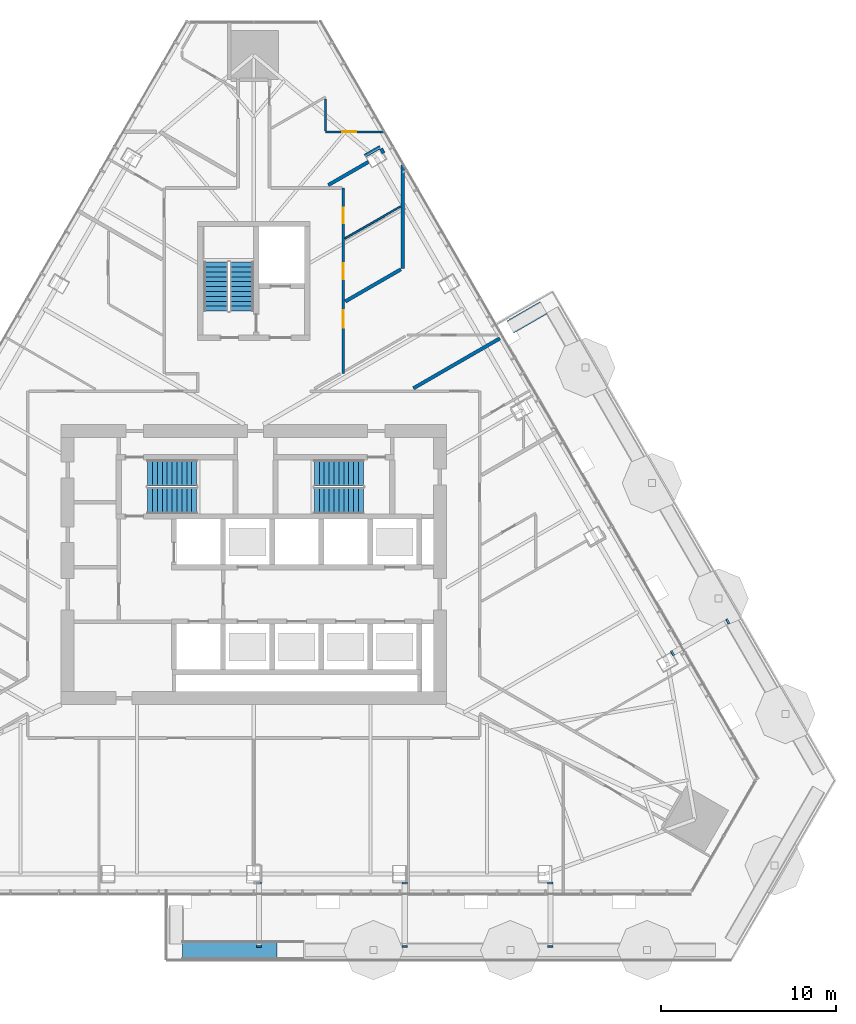
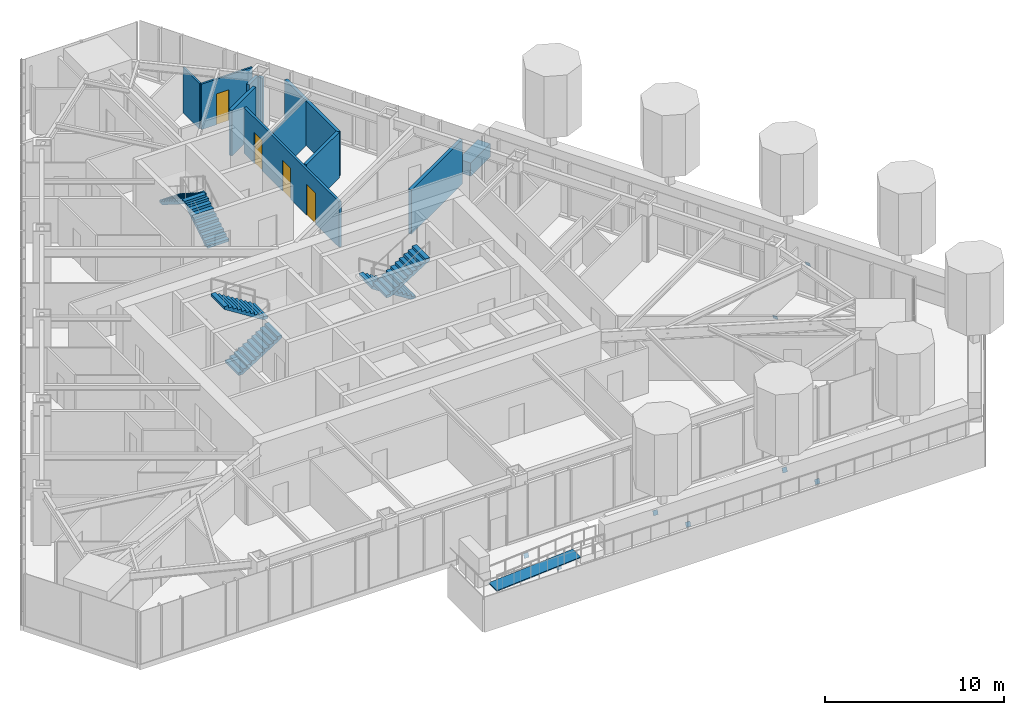
# One storey, part 15 of 18: 11 walls, 8 discrete accessories, 6 stair flights, 4 doors, 1 ramp flight, 4 openings, 4 elements without a shape of their own.
"""IFC4 building model written with IfcOpenShell, lengths in metres."""

from ifc_helpers import new_model, si_unit, direction, frame, frame_2d, origin, place, context, subcontext, project, spatial, polyline, rectangle, outline, extrude, material, layer, layer_set, type_object, element, fill, aggregate, save


model = new_model("IFC4")

# Units and contexts
model_context = context("Model", 3, precision=1e-05, world=origin(), true_north=direction((0.0, 1.0)))
body_context = subcontext(model_context, "Body", "Model", "MODEL_VIEW")
ifc_project = project(units=[si_unit("LENGTHUNIT", "METRE"), si_unit("AREAUNIT", "SQUARE_METRE"), si_unit("VOLUMEUNIT", "CUBIC_METRE"), si_unit("PLANEANGLEUNIT", "RADIAN"), si_unit("MASSUNIT", "GRAM", prefix="KILO")], contexts=[model_context])

# Site, building, storey
site_placement = place(None, origin())
site = spatial("IfcSite", under=ifc_project, at=site_placement, CompositionType="ELEMENT")
building_placement = place(site_placement, origin())
building = spatial("IfcBuilding", under=site, at=building_placement, Name="Firuza Gate Tower and Library", CompositionType="ELEMENT")
storey_placement = place(building_placement, frame((0.0, 0.0, 226.0)))
storey = spatial("IfcBuildingStorey", under=building, at=storey_placement, Name="L53", CompositionType="ELEMENT", Elevation=226.0)

# Wall, openings, doors
ifc_material_1 = material(Name="Gypsum board partition")
ifc_layer_1 = layer(ifc_material_1, 0.14990234375)
ifc_layer_set_1 = layer_set([ifc_layer_1], Name="Corridor wall 150 double board on steel studs")
wall_type_1 = type_object("IfcWallType", Name="Corridor wall 150 double board on steel studs", PredefinedType="PARTITIONING", material=ifc_layer_set_1)
wall_1_placement = place(storey_placement, frame((80.10009765625, 96.49951171875, 0.0), z_axis=(0.0, 0.0, 1.0), x_axis=(0.0, -1.0, 0.0)))
wall_1 = element("IfcWall", 1, at=wall_1_placement, inside=storey, type_object=wall_type_1, Name="f:L53:w045", PredefinedType="PARTITIONING", context=body_context, shape_type="SweptSolid", body=[
    extrude(rectangle(XDim=10.599609375, YDim=0.14990234375, at=frame_2d((5.2998046875, 0.0))), origin(), (0.0, 0.0, 1.0), 3.10009765625),
])
opening_1_placement = place(wall_1_placement, frame((1.12548828125, 0.0, 0.0)))
opening_1 = element("IfcOpeningElement", 2, at=opening_1_placement, cuts=wall_1, Name="Opening L53-19", PredefinedType="OPENING", context=body_context, shape_type="SweptSolid", body=[
    extrude(rectangle(XDim=0.89990234375, YDim=2.10009765625, at=frame_2d((0.449951171875, 1.050048828125))), frame((0.0, 0.0849609375, 0.0), z_axis=(0.0, -1.0, 0.0), x_axis=(1.0, 0.0, 0.0)), (0.0, 0.0, 1.0), 0.169921875),
])
opening_2_placement = place(wall_1_placement, frame((4.298583984375, 0.0, 0.0)))
opening_2 = element("IfcOpeningElement", 3, at=opening_2_placement, cuts=wall_1, Name="Opening L53-20", PredefinedType="OPENING", context=body_context, shape_type="SweptSolid", body=[
    extrude(rectangle(XDim=0.89990234375, YDim=2.10009765625, at=frame_2d((0.449951171875, 1.050048828125))), frame((0.0, 0.0849609375, 0.0), z_axis=(0.0, -1.0, 0.0), x_axis=(1.0, 0.0, 0.0)), (0.0, 0.0, 1.0), 0.169921875),
])
opening_3_placement = place(wall_1_placement, frame((6.97412109375, 0.0, 0.0)))
opening_3 = element("IfcOpeningElement", 4, at=opening_3_placement, cuts=wall_1, Name="Opening L53-21", PredefinedType="OPENING", context=body_context, shape_type="SweptSolid", body=[
    extrude(rectangle(XDim=1.0, YDim=2.10009765625, at=frame_2d((0.5, 1.050048828125))), frame((0.0, 0.0849609375, 0.0), z_axis=(0.0, -1.0, 0.0), x_axis=(1.0, 0.0, 0.0)), (0.0, 0.0, 1.0), 0.169921875),
])
ifc_material_2 = material(Name="Steel door and timber leaf", Category="steel")
door_type_1 = type_object("IfcDoorType", Name="Fire door 1000 x 2100 steel frame, timber leaf", OperationType="NOTDEFINED", PredefinedType="DOOR", material=ifc_material_2)
door_1_placement = place(opening_3_placement, origin())
door_1 = element("IfcDoor", 5, at=door_1_placement, inside=storey, type_object=door_type_1, Name="f:L53:d021", OperationType="SINGLE_SWING_RIGHT", OverallHeight=2.10009765625, OverallWidth=1.0, PredefinedType="DOOR", context=body_context, shape_type="SweptSolid", body=[
    extrude(rectangle(XDim=1.0, YDim=2.10009765625, at=frame_2d((0.5, 1.050048828125))), frame((0.0, 0.02490234375, 0.0), z_axis=(0.0, -1.0, 0.0), x_axis=(1.0, 0.0, 0.0)), (0.0, 0.0, 1.0), 0.050048828125),
])
fill(opening_3, door_1)
ifc_material_3 = material(Name="Steel door and timber leaf", Category="steel")
door_type_2 = type_object("IfcDoorType", Name="Fire door 900 x 2100 steel frame, timber leaf", OperationType="NOTDEFINED", PredefinedType="DOOR", material=ifc_material_3)
door_2_placement = place(opening_1_placement, origin())
door_2 = element("IfcDoor", 6, at=door_2_placement, inside=storey, type_object=door_type_2, Name="f:L53:d019", OperationType="SINGLE_SWING_LEFT", OverallHeight=2.10009765625, OverallWidth=0.89990234375, PredefinedType="DOOR", context=body_context, shape_type="SweptSolid", body=[
    extrude(rectangle(XDim=0.89990234375, YDim=2.10009765625, at=frame_2d((0.449951171875, 1.050048828125))), frame((0.0, 0.02490234375, 0.0), z_axis=(0.0, -1.0, 0.0), x_axis=(1.0, 0.0, 0.0)), (0.0, 0.0, 1.0), 0.050048828125),
])
fill(opening_1, door_2)
door_3_placement = place(opening_2_placement, origin())
door_3 = element("IfcDoor", 7, at=door_3_placement, inside=storey, type_object=door_type_2, Name="f:L53:d020", OperationType="SINGLE_SWING_RIGHT", OverallHeight=2.10009765625, OverallWidth=0.89990234375, PredefinedType="DOOR", context=body_context, shape_type="SweptSolid", body=[
    extrude(rectangle(XDim=0.89990234375, YDim=2.10009765625, at=frame_2d((0.449951171875, 1.050048828125))), frame((0.0, 0.02490234375, 0.0), z_axis=(0.0, -1.0, 0.0), x_axis=(1.0, 0.0, 0.0)), (0.0, 0.0, 1.0), 0.050048828125),
])
fill(opening_2, door_3)

# Walls
ifc_material_4 = material(Name="Gypsum board partition")
ifc_layer_2 = layer(ifc_material_4, 0.199951171875)
ifc_layer_set_2 = layer_set([ifc_layer_2], Name="Demising wall 200 acoustic double stud")
wall_type_2 = type_object("IfcWallType", Name="Demising wall 200 acoustic double stud", PredefinedType="PARTITIONING", material=ifc_layer_set_2)
wall_2_placement = place(storey_placement, frame((84.115234375, 85.065185546875, 0.0), z_axis=(0.0, 0.0, 1.0), x_axis=(0.866027152591, 0.499996970966, 0.0)))
element("IfcWall", 8, at=wall_2_placement, inside=storey, type_object=wall_type_2, Name="f:L53:w025", PredefinedType="PARTITIONING", context=body_context, shape_type="SweptSolid", body=[
    extrude(rectangle(XDim=5.69677734375, YDim=0.199951171875, at=frame_2d((2.848388671875, 0.0))), origin(), (0.0, 0.0, 1.0), 3.02197265625),
])
wall_3_placement = place(storey_placement, frame((80.226806640625, 90.023193359375, 0.0), z_axis=(0.0, 0.0, 1.0), x_axis=(0.866020252061, 0.500008922941, 0.0)))
element("IfcWall", 9, at=wall_3_placement, inside=storey, type_object=wall_type_2, Name="f:L53:w028", PredefinedType="PARTITIONING", context=body_context, shape_type="SweptSolid", body=[
    extrude(rectangle(XDim=3.6640625, YDim=0.199951171875, at=frame_2d((1.83203125, 0.0))), origin(), (0.0, 0.0, 1.0), 3.10009765625),
])
wall_4_placement = place(storey_placement, frame((79.254638671875, 96.6650390625, 0.0), z_axis=(0.0, 0.0, 1.0), x_axis=(0.866048852527, 0.499959383386, 0.0)))
element("IfcWall", 10, at=wall_4_placement, inside=storey, type_object=wall_type_2, Name="f:L53:w030", PredefinedType="PARTITIONING", context=body_context, shape_type="SweptSolid", body=[
    extrude(rectangle(XDim=2.646240234375, YDim=0.199951171875, at=frame_2d((1.3232421875, 0.0))), origin(), (0.0, 0.0, 1.0), 3.10009765625),
])
wall_5_placement = place(storey_placement, frame((81.346435546875, 98.33447265625, 0.0), z_axis=(0.0, 0.0, 1.0), x_axis=(0.866010750942, 0.50002537861, 0.0)))
element("IfcWall", 11, at=wall_5_placement, inside=storey, type_object=wall_type_2, Name="f:L53:w031", PredefinedType="PARTITIONING", context=body_context, shape_type="SweptSolid", body=[
    extrude(rectangle(XDim=1.0, YDim=0.199951171875, at=frame_2d((0.5, 0.0))), origin(), (0.0, 0.0, 1.0), 3.10009765625),
])
wall_6_placement = place(storey_placement, frame((83.5, 91.912841796875, 0.0), z_axis=(0.0, 0.0, 1.0), x_axis=(0.0, 1.0, 0.0)))
element("IfcWall", 12, at=wall_6_placement, inside=storey, type_object=wall_type_2, Name="f:L53:w044", PredefinedType="PARTITIONING", context=body_context, shape_type="SweptSolid", body=[
    extrude(rectangle(XDim=5.8916015625, YDim=0.199951171875, at=frame_2d((2.94580078125, 0.0))), origin(), (0.0, 0.0, 1.0), 3.02197265625),
])
wall_7_placement = place(storey_placement, frame((82.412109375, 98.488037109375, 0.0), z_axis=(0.0, 0.0, 1.0), x_axis=(-0.499941024108, 0.866059450854, 0.0)))
element("IfcWall", 13, at=wall_7_placement, inside=storey, type_object=wall_type_2, Name="f:L53:w063", PredefinedType="PARTITIONING", context=body_context, shape_type="SweptSolid", body=[
    extrude(rectangle(XDim=0.2900390625, YDim=0.199951171875, at=frame_2d((0.14501953125, 0.0))), origin(), (0.0, 0.0, 1.0), 3.10009765625),
])
ifc_material_5 = material(Name="Gypsum board partition")
ifc_layer_3 = layer(ifc_material_5, 0.10009765625)
ifc_layer_set_3 = layer_set([ifc_layer_3], Name="Partition 100 gypsum board on steel studs")
wall_type_3 = type_object("IfcWallType", Name="Partition 100 gypsum board on steel studs", PredefinedType="PARTITIONING", material=ifc_layer_set_3)
wall_8_placement = place(storey_placement, frame((80.200927734375, 93.60986328125, 0.0), z_axis=(0.0, 0.0, 1.0), x_axis=(0.866020252061, 0.500008922941, 0.0)))
element("IfcWall", 14, at=wall_8_placement, inside=storey, type_object=wall_type_3, Name="f:L53:w029", PredefinedType="PARTITIONING", context=body_context, shape_type="SweptSolid", body=[
    extrude(rectangle(XDim=3.6640625, YDim=0.10009765625, at=frame_2d((1.83203125, 0.0))), origin(), (0.0, 0.0, 1.0), 3.10009765625),
])
ifc_material_6 = material(Name="Concrete C40/50", Category="concrete")
ifc_layer_4 = layer(ifc_material_6, 0.800048828125)
ifc_layer_set_4 = layer_set([ifc_layer_4], Name="Planter wall 800")
wall_type_4 = type_object("IfcWallType", Name="Planter wall 800", PredefinedType="SOLIDWALL", material=ifc_layer_set_4)
wall_9_placement = place(storey_placement, frame((91.549072265625, 89.6630859375, 0.0), z_axis=(0.0, 0.0, 1.0), x_axis=(-0.866008176907, -0.50002983664, 0.0)))
element("IfcWall", 15, at=wall_9_placement, inside=storey, type_object=wall_type_4, Name="PLANTER L53 5", PredefinedType="SOLIDWALL", context=body_context, shape_type="SweptSolid", body=[
    extrude(rectangle(XDim=2.199951171875, YDim=0.800048828125, at=frame_2d((1.10009765625, 0.0))), origin(), (0.0, 0.0, 1.0), 0.89990234375),
])

# Wall, opening, door
ifc_material_7 = material(Name="Gypsum board partition")
ifc_layer_5 = layer(ifc_material_7, 0.1201171875)
ifc_layer_set_5 = layer_set([ifc_layer_5], Name="Wet-area partition 120 moisture-resistant board")
wall_type_5 = type_object("IfcWallType", Name="Wet-area partition 120 moisture-resistant board", PredefinedType="PARTITIONING", material=ifc_layer_set_5)
wall_10_placement = place(storey_placement, frame((82.405517578125, 99.699951171875, 0.0), z_axis=(0.0, 0.0, 1.0), x_axis=(-1.0, 0.0, 0.0)))
wall_10 = element("IfcWall", 16, at=wall_10_placement, inside=storey, type_object=wall_type_5, Name="f:L53:w010", PredefinedType="PARTITIONING", context=body_context, shape_type="SweptSolid", body=[
    extrude(rectangle(XDim=3.305419921875, YDim=0.1201171875, at=frame_2d((1.65283203125, 0.0))), origin(), (0.0, 0.0, 1.0), 3.10009765625),
])
opening_4_placement = place(wall_10_placement, frame((1.54150390625, 0.0, 0.0)))
opening_4 = element("IfcOpeningElement", 17, at=opening_4_placement, cuts=wall_10, Name="Opening L53-09", PredefinedType="OPENING", context=body_context, shape_type="SweptSolid", body=[
    extrude(rectangle(XDim=0.800048828125, YDim=2.10009765625, at=frame_2d((0.39990234375, 1.050048828125))), frame((0.0, 0.070068359375, 0.0), z_axis=(0.0, -1.0, 0.0), x_axis=(1.0, 0.0, 0.0)), (0.0, 0.0, 1.0), 0.14013671875),
])
ifc_material_8 = material(Name="Timber door", Category="wood")
door_type_3 = type_object("IfcDoorType", Name="Door 800 x 2100 timber leaf", OperationType="NOTDEFINED", PredefinedType="DOOR", material=ifc_material_8)
door_4_placement = place(opening_4_placement, origin())
door_4 = element("IfcDoor", 18, at=door_4_placement, inside=storey, type_object=door_type_3, Name="f:L53:d009", OperationType="SINGLE_SWING_LEFT", OverallHeight=2.10009765625, OverallWidth=0.800048828125, PredefinedType="DOOR", context=body_context, shape_type="SweptSolid", body=[
    extrude(rectangle(XDim=0.800048828125, YDim=2.10009765625, at=frame_2d((0.39990234375, 1.050048828125))), frame((0.0, 0.02490234375, 0.0), z_axis=(0.0, -1.0, 0.0), x_axis=(1.0, 0.0, 0.0)), (0.0, 0.0, 1.0), 0.050048828125),
])
fill(opening_4, door_4)

# Wall
wall_11_placement = place(storey_placement, frame((79.10009765625, 99.760009765625, 0.0), z_axis=(0.0, 0.0, 1.0), x_axis=(0.0, 1.0, 0.0)))
element("IfcWall", 19, at=wall_11_placement, inside=storey, type_object=wall_type_5, Name="f:L53:w046", PredefinedType="PARTITIONING", context=body_context, shape_type="SweptSolid", body=[
    extrude(rectangle(XDim=1.828857421875, YDim=0.1201171875, at=frame_2d((0.91455078125, 0.0))), origin(), (0.0, 0.0, 1.0), 3.10009765625),
])

# Stair, stair flights
ifc_material_9 = material(Name="Concrete C35/45", Category="concrete")
stair_type_1 = type_object("IfcStairType", Name="Exit stair ST16", PredefinedType="HALF_TURN_STAIR", material=ifc_material_9)
placement = place(storey_placement, origin())
stair_1 = element("IfcStair", 20, at=placement, inside=storey, type_object=stair_type_1, Name="L53 Stair ST3", PredefinedType="HALF_TURN_STAIR")
ifc_material_10 = material(Name="Concrete C35/45", Category="concrete")
stair_flight_type_1 = type_object("IfcStairFlightType", Name="Stair flight 11 risers 177.3 width 1370", PredefinedType="STRAIGHT", material=ifc_material_10)
stair_flight_1_placement = place(storey_placement, frame((74.31494140625, 89.469970703125, 0.0), z_axis=(0.0, 0.0, 1.0), x_axis=(0.0, 1.0, 0.0)))
stair_flight_1 = element("IfcStairFlight", 21, at=stair_flight_1_placement, type_object=stair_flight_type_1, Name="ST3 flight 1", NumberOfRisers=11, NumberOfTreads=10, PredefinedType="STRAIGHT", RiserHeight=0.177272727, TreadLength=0.28, context=body_context, shape_type="SweptSolid", body=[
    extrude(outline(polyline([(0.0, 0.0), (0.0, 0.17724609375), (0.280029296875, 0.17724609375), (0.280029296875, 0.3544921875), (0.56005859375, 0.3544921875), (0.56005859375, 0.53173828125), (0.840087890625, 0.53173828125), (0.840087890625, 0.708984375), (1.1201171875, 0.708984375), (1.1201171875, 0.886474609375), (1.39990234375, 0.886474609375), (1.39990234375, 1.063720703125), (1.679931640625, 1.063720703125), (1.679931640625, 1.240966796875), (1.9599609375, 1.240966796875), (1.9599609375, 1.418212890625), (2.239990234375, 1.418212890625), (2.239990234375, 1.595458984375), (2.52001953125, 1.595458984375), (2.52001953125, 1.772705078125), (2.800048828125, 1.772705078125), (2.800048828125, 1.949951171875), (2.800048828125, 1.59521484375), (0.2802734375, 0.0), (0.0, 0.0)])), frame((0.0, 0.68505859375, 0.0), z_axis=(0.0, -1.0, 0.0), x_axis=(1.0, 0.0, 0.0)), (0.0, 0.0, 1.0), 1.3701171875),
])
stair_flight_2_placement = place(storey_placement, frame((72.844970703125, 92.27001953125, 1.949951171875), z_axis=(0.0, 0.0, 1.0), x_axis=(0.0, -1.0, 0.0)))
stair_flight_2 = element("IfcStairFlight", 22, at=stair_flight_2_placement, type_object=stair_flight_type_1, Name="ST3 flight 2", NumberOfRisers=11, NumberOfTreads=10, PredefinedType="STRAIGHT", RiserHeight=0.177272727, TreadLength=0.28, context=body_context, shape_type="SweptSolid", body=[
    extrude(outline(polyline([(0.0, 0.0), (0.0, 0.17724609375), (0.280029296875, 0.17724609375), (0.280029296875, 0.3544921875), (0.56005859375, 0.3544921875), (0.56005859375, 0.53173828125), (0.840087890625, 0.53173828125), (0.840087890625, 0.708984375), (1.1201171875, 0.708984375), (1.1201171875, 0.886474609375), (1.39990234375, 0.886474609375), (1.39990234375, 1.063720703125), (1.679931640625, 1.063720703125), (1.679931640625, 1.240966796875), (1.9599609375, 1.240966796875), (1.9599609375, 1.418212890625), (2.239990234375, 1.418212890625), (2.239990234375, 1.595458984375), (2.52001953125, 1.595458984375), (2.52001953125, 1.772705078125), (2.800048828125, 1.772705078125), (2.800048828125, 1.949951171875), (2.800048828125, 1.59521484375), (0.2802734375, 0.0), (0.0, 0.0)])), frame((0.0, 0.68505859375, 0.0), z_axis=(0.0, -1.0, 0.0), x_axis=(1.0, 0.0, 0.0)), (0.0, 0.0, 1.0), 1.3701171875),
])
aggregate(stair_1, [stair_flight_1, stair_flight_2])

ifc_material_11 = material(Name="Concrete C35/45", Category="concrete")
stair_type_2 = type_object("IfcStairType", Name="Exit stair ST7", PredefinedType="HALF_TURN_STAIR", material=ifc_material_11)
stair_2 = element("IfcStair", 23, at=placement, inside=storey, type_object=stair_type_2, Name="L53 Stair ST1", PredefinedType="HALF_TURN_STAIR")
ifc_material_12 = material(Name="Concrete C35/45", Category="concrete")
stair_flight_type_2 = type_object("IfcStairFlightType", Name="Stair flight 11 risers 177.3 width 1490", PredefinedType="STRAIGHT", material=ifc_material_12)
stair_flight_3_placement = place(storey_placement, frame((68.93994140625, 78.64501953125, 0.0), z_axis=(0.0, 0.0, 1.0), x_axis=(1.0, 0.0, 0.0)))
stair_flight_3 = element("IfcStairFlight", 24, at=stair_flight_3_placement, type_object=stair_flight_type_2, Name="ST1 flight 1", NumberOfRisers=11, NumberOfTreads=10, PredefinedType="STRAIGHT", RiserHeight=0.177272727, TreadLength=0.28, context=body_context, shape_type="SweptSolid", body=[
    extrude(outline(polyline([(0.0, 0.0), (0.0, 0.17724609375), (0.280029296875, 0.17724609375), (0.280029296875, 0.3544921875), (0.56005859375, 0.3544921875), (0.56005859375, 0.53173828125), (0.840087890625, 0.53173828125), (0.840087890625, 0.708984375), (1.1201171875, 0.708984375), (1.1201171875, 0.886474609375), (1.39990234375, 0.886474609375), (1.39990234375, 1.063720703125), (1.679931640625, 1.063720703125), (1.679931640625, 1.240966796875), (1.9599609375, 1.240966796875), (1.9599609375, 1.418212890625), (2.239990234375, 1.418212890625), (2.239990234375, 1.595458984375), (2.52001953125, 1.595458984375), (2.52001953125, 1.772705078125), (2.800048828125, 1.772705078125), (2.800048828125, 1.949951171875), (2.800048828125, 1.59521484375), (0.2802734375, 0.0), (0.0, 0.0)])), frame((0.0, 0.7451171875, 0.0), z_axis=(0.0, -1.0, 0.0), x_axis=(1.0, 0.0, 0.0)), (0.0, 0.0, 1.0), 1.489990234375),
])
stair_flight_4_placement = place(storey_placement, frame((71.739990234375, 80.235107421875, 1.949951171875), z_axis=(0.0, 0.0, 1.0), x_axis=(-1.0, 0.0, 0.0)))
stair_flight_4 = element("IfcStairFlight", 25, at=stair_flight_4_placement, type_object=stair_flight_type_2, Name="ST1 flight 2", NumberOfRisers=11, NumberOfTreads=10, PredefinedType="STRAIGHT", RiserHeight=0.177272727, TreadLength=0.28, context=body_context, shape_type="SweptSolid", body=[
    extrude(outline(polyline([(0.0, 0.0), (0.0, 0.17724609375), (0.280029296875, 0.17724609375), (0.280029296875, 0.3544921875), (0.56005859375, 0.3544921875), (0.56005859375, 0.53173828125), (0.840087890625, 0.53173828125), (0.840087890625, 0.708984375), (1.1201171875, 0.708984375), (1.1201171875, 0.886474609375), (1.39990234375, 0.886474609375), (1.39990234375, 1.063720703125), (1.679931640625, 1.063720703125), (1.679931640625, 1.240966796875), (1.9599609375, 1.240966796875), (1.9599609375, 1.418212890625), (2.239990234375, 1.418212890625), (2.239990234375, 1.595458984375), (2.52001953125, 1.595458984375), (2.52001953125, 1.772705078125), (2.800048828125, 1.772705078125), (2.800048828125, 1.949951171875), (2.800048828125, 1.59521484375), (0.2802734375, 0.0), (0.0, 0.0)])), frame((0.0, 0.7451171875, 0.0), z_axis=(0.0, -1.0, 0.0), x_axis=(1.0, 0.0, 0.0)), (0.0, 0.0, 1.0), 1.489990234375),
])
aggregate(stair_2, [stair_flight_3, stair_flight_4])

stair_3 = element("IfcStair", 26, at=placement, inside=storey, type_object=stair_type_2, Name="L53 Stair ST2", PredefinedType="HALF_TURN_STAIR")
stair_flight_5_placement = place(storey_placement, frame((81.260009765625, 80.235107421875, 0.0), z_axis=(0.0, 0.0, 1.0), x_axis=(-1.0, 0.0, 0.0)))
stair_flight_5 = element("IfcStairFlight", 27, at=stair_flight_5_placement, type_object=stair_flight_type_2, Name="ST2 flight 1", NumberOfRisers=11, NumberOfTreads=10, PredefinedType="STRAIGHT", RiserHeight=0.177272727, TreadLength=0.28, context=body_context, shape_type="SweptSolid", body=[
    extrude(outline(polyline([(0.0, 0.0), (0.0, 0.17724609375), (0.280029296875, 0.17724609375), (0.280029296875, 0.3544921875), (0.56005859375, 0.3544921875), (0.56005859375, 0.53173828125), (0.840087890625, 0.53173828125), (0.840087890625, 0.708984375), (1.1201171875, 0.708984375), (1.1201171875, 0.886474609375), (1.39990234375, 0.886474609375), (1.39990234375, 1.063720703125), (1.679931640625, 1.063720703125), (1.679931640625, 1.240966796875), (1.9599609375, 1.240966796875), (1.9599609375, 1.418212890625), (2.239990234375, 1.418212890625), (2.239990234375, 1.595458984375), (2.52001953125, 1.595458984375), (2.52001953125, 1.772705078125), (2.800048828125, 1.772705078125), (2.800048828125, 1.949951171875), (2.800048828125, 1.59521484375), (0.2802734375, 0.0), (0.0, 0.0)])), frame((0.0, 0.7451171875, 0.0), z_axis=(0.0, -1.0, 0.0), x_axis=(1.0, 0.0, 0.0)), (0.0, 0.0, 1.0), 1.489990234375),
])
stair_flight_6_placement = place(storey_placement, frame((78.4599609375, 78.64501953125, 1.949951171875), z_axis=(0.0, 0.0, 1.0), x_axis=(1.0, 0.0, 0.0)))
stair_flight_6 = element("IfcStairFlight", 28, at=stair_flight_6_placement, type_object=stair_flight_type_2, Name="ST2 flight 2", NumberOfRisers=11, NumberOfTreads=10, PredefinedType="STRAIGHT", RiserHeight=0.177272727, TreadLength=0.28, context=body_context, shape_type="SweptSolid", body=[
    extrude(outline(polyline([(0.0, 0.0), (0.0, 0.17724609375), (0.280029296875, 0.17724609375), (0.280029296875, 0.3544921875), (0.56005859375, 0.3544921875), (0.56005859375, 0.53173828125), (0.840087890625, 0.53173828125), (0.840087890625, 0.708984375), (1.1201171875, 0.708984375), (1.1201171875, 0.886474609375), (1.39990234375, 0.886474609375), (1.39990234375, 1.063720703125), (1.679931640625, 1.063720703125), (1.679931640625, 1.240966796875), (1.9599609375, 1.240966796875), (1.9599609375, 1.418212890625), (2.239990234375, 1.418212890625), (2.239990234375, 1.595458984375), (2.52001953125, 1.595458984375), (2.52001953125, 1.772705078125), (2.800048828125, 1.772705078125), (2.800048828125, 1.949951171875), (2.800048828125, 1.59521484375), (0.2802734375, 0.0), (0.0, 0.0)])), frame((0.0, 0.7451171875, 0.0), z_axis=(0.0, -1.0, 0.0), x_axis=(1.0, 0.0, 0.0)), (0.0, 0.0, 1.0), 1.489990234375),
])
aggregate(stair_3, [stair_flight_5, stair_flight_6])

# Ramp, ramp flight
ifc_material_13 = material(Name="Concrete C40/50", Category="concrete")
ifc_layer_6 = layer(ifc_material_13, 0.050048828125)
ifc_layer_set_6 = layer_set([ifc_layer_6], Name="Garden ramp")
ramp_type = type_object("IfcRampType", Name="Garden ramp", PredefinedType="STRAIGHT_RUN_RAMP", material=ifc_layer_set_6)
ramp = element("IfcRamp", 29, at=placement, inside=storey, type_object=ramp_type, Name="Garden ramp 6", PredefinedType="STRAIGHT_RUN_RAMP")
ifc_material_14 = material(Name="Concrete C40/50", Category="concrete")
ifc_layer_7 = layer(ifc_material_14, 0.050048828125)
ifc_layer_set_7 = layer_set([ifc_layer_7], Name="Garden ramp flight")
ramp_flight_type = type_object("IfcRampFlightType", Name="Garden ramp flight", PredefinedType="STRAIGHT", material=ifc_layer_set_7)
ramp_flight_placement = place(storey_placement, frame((70.926025390625, 52.986572265625, 0.0), z_axis=(0.0, 0.0, 1.0), x_axis=(1.0, 0.0, 0.0)))
ramp_flight = element("IfcRampFlight", 30, at=ramp_flight_placement, type_object=ramp_flight_type, Name="Garden ramp 6 flight", PredefinedType="STRAIGHT", context=body_context, shape_type="SweptSolid", body=[
    extrude(outline(polyline([(0.0, 0.050048828125), (5.39990234375, 0.449951171875), (5.39990234375, 0.39990234375), (0.0, 0.0), (0.0, 0.050048828125)])), frame((0.0, 0.449951171875, 0.0), z_axis=(0.0, -1.0, 0.0), x_axis=(1.0, 0.0, 0.0)), (0.0, 0.0, 1.0), 0.89990234375),
])
aggregate(ramp, [ramp_flight])

# Discrete accessories
ifc_material_15 = material(Name="Steel S355", Category="steel")
ifc_layer_8 = layer(ifc_material_15, 0.02001953125)
ifc_layer_set_8 = layer_set([ifc_layer_8], Name="Strut seat plate 304x304x20 Steel S355")
discrete_accessory_type = type_object("IfcDiscreteAccessoryType", Name="Strut seat plate 304x304x20 Steel S355", PredefinedType="BRACKET", material=ifc_layer_set_8)
discrete_accessory_1_placement = place(storey_placement, frame((75.451904296875, 56.875244140625, -1.53564453125), z_axis=(0.0, -0.932034825678, 0.362368712397), x_axis=(-1.0, 0.0, 0.0)))
element("IfcDiscreteAccessory", 31, at=discrete_accessory_1_placement, inside=storey, type_object=discrete_accessory_type, Name="Strut seat plate L53 col:L52:S3", PredefinedType="BRACKET", context=body_context, shape_type="SweptSolid", body=[
    extrude(outline(polyline([(0.0, 0.0), (0.303955078125, 0.0), (0.303955078125, 0.30385465993090327), (0.0, 0.30385465993090327), (0.0, 0.0)])), origin(), (0.0, 0.0, -1.0), 0.02001953125),
])
discrete_accessory_2_placement = place(storey_placement, frame((75.14794921875, 53.238037109375, -0.12109375), z_axis=(0.0, -0.932034825678, 0.362368712397), x_axis=(1.0, 0.0, 0.0)))
element("IfcDiscreteAccessory", 32, at=discrete_accessory_2_placement, inside=storey, type_object=discrete_accessory_type, Name="Strut seat plate L53 col:L52:S3", PredefinedType="BRACKET", context=body_context, shape_type="SweptSolid", body=[
    extrude(outline(polyline([(0.0, 0.0), (0.303955078125, 0.0), (0.303955078125, -0.30385465993090327), (0.0, -0.30385465993090327), (0.0, 0.0)])), origin(), (0.0, 0.0, -1.0), 0.02001953125),
])
discrete_accessory_3_placement = place(storey_placement, frame((83.76953125, 56.875244140625, -1.53564453125), z_axis=(0.0, -0.932034825678, 0.362368712397), x_axis=(-1.0, 0.0, 0.0)))
element("IfcDiscreteAccessory", 33, at=discrete_accessory_3_placement, inside=storey, type_object=discrete_accessory_type, Name="Strut seat plate L53 col:L52:S4", PredefinedType="BRACKET", context=body_context, shape_type="SweptSolid", body=[
    extrude(outline(polyline([(0.0, 0.0), (0.303955078125, 0.0), (0.303955078125, 0.30385465993090327), (0.0, 0.30385465993090327), (0.0, 0.0)])), origin(), (0.0, 0.0, -1.0), 0.02001953125),
])
discrete_accessory_4_placement = place(storey_placement, frame((83.465576171875, 53.238037109375, -0.12109375), z_axis=(0.0, -0.932034825678, 0.362368712397), x_axis=(1.0, 0.0, 0.0)))
element("IfcDiscreteAccessory", 34, at=discrete_accessory_4_placement, inside=storey, type_object=discrete_accessory_type, Name="Strut seat plate L53 col:L52:S4", PredefinedType="BRACKET", context=body_context, shape_type="SweptSolid", body=[
    extrude(outline(polyline([(0.0, 0.0), (0.303955078125, 0.0), (0.303955078125, -0.30385465993090327), (0.0, -0.30385465993090327), (0.0, 0.0)])), origin(), (0.0, 0.0, -1.0), 0.02001953125),
])
discrete_accessory_5_placement = place(storey_placement, frame((92.087158203125, 56.875244140625, -1.53564453125), z_axis=(0.0, -0.932034825678, 0.362368712397), x_axis=(-1.0, 0.0, 0.0)))
element("IfcDiscreteAccessory", 35, at=discrete_accessory_5_placement, inside=storey, type_object=discrete_accessory_type, Name="Strut seat plate L53 col:L52:S5", PredefinedType="BRACKET", context=body_context, shape_type="SweptSolid", body=[
    extrude(outline(polyline([(0.0, 0.0), (0.303955078125, 0.0), (0.303955078125, 0.30385465993090327), (0.0, 0.30385465993090327), (0.0, 0.0)])), origin(), (0.0, 0.0, -1.0), 0.02001953125),
])
discrete_accessory_6_placement = place(storey_placement, frame((91.783203125, 53.238037109375, -0.12109375), z_axis=(0.0, -0.932034825678, 0.362368712397), x_axis=(1.0, 0.0, 0.0)))
element("IfcDiscreteAccessory", 36, at=discrete_accessory_6_placement, inside=storey, type_object=discrete_accessory_type, Name="Strut seat plate L53 col:L52:S5", PredefinedType="BRACKET", context=body_context, shape_type="SweptSolid", body=[
    extrude(outline(polyline([(0.0, 0.0), (0.303955078125, 0.0), (0.303955078125, -0.30385465993090327), (0.0, -0.30385465993090327), (0.0, 0.0)])), origin(), (0.0, 0.0, -1.0), 0.02001953125),
])
discrete_accessory_7_placement = place(storey_placement, frame((98.7880859375, 70.04736328125, -1.53564453125), z_axis=(0.807297615918, 0.465590280112, 0.362624117232), x_axis=(0.499572120852, -0.866272296379, 6.778088e-05)))
element("IfcDiscreteAccessory", 37, at=discrete_accessory_7_placement, inside=storey, type_object=discrete_accessory_type, Name="Strut seat plate L53 col:L52:E1", PredefinedType="BRACKET", context=body_context, shape_type="SweptSolid", body=[
    extrude(outline(polyline([(0.0, 0.0), (0.30406290697327565, -6.938893903907228e-18), (0.30393510776688293, 0.3039091558038255), (8.369305346543897e-05, 0.3038649414044176), (0.0, 0.0)])), origin(), (0.0, 0.0, -1.0), 0.02001953125),
])
discrete_accessory_8_placement = place(storey_placement, frame((102.090087890625, 71.6025390625, -0.12109375), z_axis=(0.807008374078, 0.465955715524, 0.362798505149), x_axis=(-0.500023511883, 0.866011828767, 0.0)))
element("IfcDiscreteAccessory", 38, at=discrete_accessory_8_placement, inside=storey, type_object=discrete_accessory_type, Name="Strut seat plate L53 col:L52:E1", PredefinedType="BRACKET", context=body_context, shape_type="SweptSolid", body=[
    extrude(outline(polyline([(0.0, 0.0), (0.304184914829735, -6.938893903907228e-18), (0.3042360574457161, -0.30390918368593733), (5.11426159810896e-05, -0.30390918368593733), (0.0, 0.0)])), origin(), (0.0, 0.0, -1.0), 0.02001953125),
])

save(model, "model.ifc")
